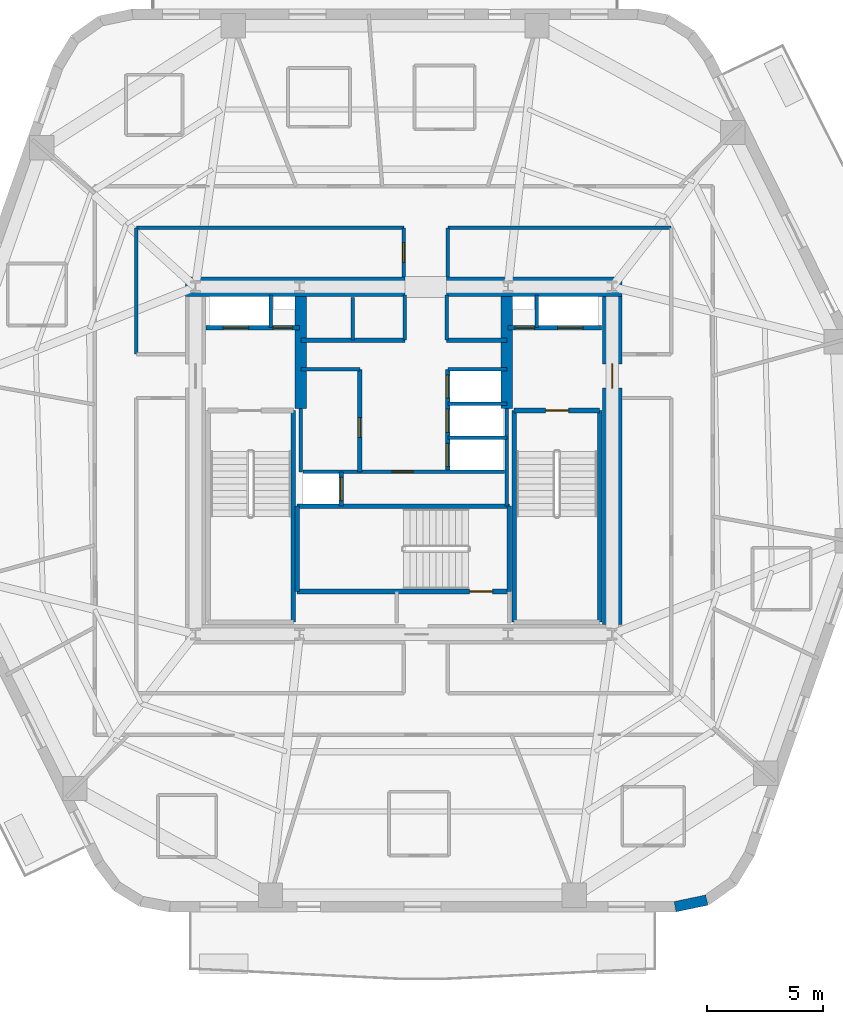
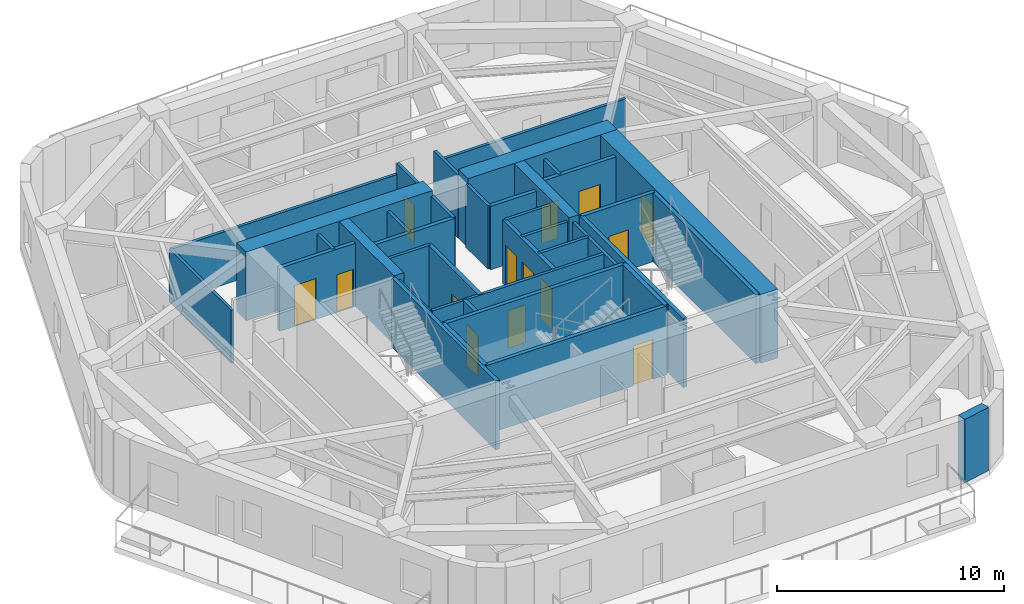
# One storey, part 4 of 10: 38 walls, 14 doors, 14 openings.
"""IFC4 building model written with IfcOpenShell, lengths in metres."""

from ifc_helpers import new_model, si_unit, direction, frame, frame_2d, origin, place, context, subcontext, project, spatial, rectangle, extrude, material, layer, layer_set, type_object, element, fill, save


model = new_model("IFC4")

# Units and contexts
model_context = context("Model", 3, precision=1e-05, world=origin(), true_north=direction((0.0, 1.0)))
body_context = subcontext(model_context, "Body", "Model", "MODEL_VIEW")
ifc_project = project(units=[si_unit("LENGTHUNIT", "METRE"), si_unit("AREAUNIT", "SQUARE_METRE"), si_unit("VOLUMEUNIT", "CUBIC_METRE"), si_unit("PLANEANGLEUNIT", "RADIAN"), si_unit("MASSUNIT", "GRAM", prefix="KILO")], contexts=[model_context])

# Site, building, storey
site_placement = place(None, origin())
site = spatial("IfcSite", under=ifc_project, at=site_placement, CompositionType="ELEMENT")
building_placement = place(site_placement, origin())
building = spatial("IfcBuilding", under=site, at=building_placement, Name="Kilnhurst Terrace Hotel", CompositionType="ELEMENT")
storey_placement = place(building_placement, frame((0.0, 0.0, 151.699951171875)))
storey = spatial("IfcBuildingStorey", under=building, at=storey_placement, Name="L37", CompositionType="ELEMENT", Elevation=151.699951171875)

# Walls
ifc_material_1 = material(Name="Precast concrete C40/50", Category="concrete")
ifc_layer_1 = layer(ifc_material_1, 0.449951171875, Name="Precast concrete C40/50")
ifc_layer_set_1 = layer_set([ifc_layer_1], Name="Precast concrete C40/50")
wall_type_1 = type_object("IfcWallType", Name="WL-BRK-450", PredefinedType="SOLIDWALL", material=ifc_layer_set_1)
wall_1_placement = place(storey_placement, frame((11.720458984375, -19.27490234375, 0.0), z_axis=(0.0, 0.0, 1.0), x_axis=(0.97893106758, 0.204191001093, 0.0)))
element("IfcWall", 1, at=wall_1_placement, inside=storey, type_object=wall_type_1, Name="L37 Rounded Corner Brick Wall C2.1", PredefinedType="SOLIDWALL", context=body_context, shape_type="SweptSolid", body=[
    extrude(rectangle(XDim=1.400146484375, YDim=0.449951171875, at=frame_2d((0.7001953125, 0.0))), origin(), (0.0, 0.0, 1.0), 3.400146484375),
])
ifc_material_2 = material(Name="Acoustic Double-Gypsum Corridor Partition Assembly")
ifc_layer_2 = layer(ifc_material_2, 0.14990234375, Name="Acoustic Double-Gypsum Corridor Partition Assembly")
ifc_layer_set_2 = layer_set([ifc_layer_2], Name="Acoustic Double-Gypsum Corridor Partition Assembly")
wall_type_2 = type_object("IfcWallType", Name="WL-COR-150", PredefinedType="PARTITIONING", material=ifc_layer_set_2)
wall_2_placement = place(storey_placement, frame((11.550048828125, 10.050048828125, 0.0), z_axis=(0.0, 0.0, 1.0), x_axis=(-1.0, 0.0, 0.0)))
element("IfcWall", 2, at=wall_2_placement, inside=storey, type_object=wall_type_2, Name="L37 Interior Wall WL-L37-COR-09", PredefinedType="PARTITIONING", context=body_context, shape_type="SweptSolid", body=[
    extrude(rectangle(XDim=9.650146484375, YDim=0.14990234375, at=frame_2d((4.8251953125, 0.0))), origin(), (0.0, 0.0, 1.0), 2.840087890625),
])
wall_3_placement = place(storey_placement, frame((1.89990234375, 10.050048828125, 0.0), z_axis=(0.0, 0.0, 1.0), x_axis=(0.0, -1.0, 0.0)))
element("IfcWall", 3, at=wall_3_placement, inside=storey, type_object=wall_type_2, Name="L37 Interior Wall WL-L37-COR-10", PredefinedType="PARTITIONING", context=body_context, shape_type="SweptSolid", body=[
    extrude(rectangle(XDim=2.125, YDim=0.14990234375, at=frame_2d((1.0625, 0.0))), origin(), (0.0, 0.0, 1.0), 3.400146484375),
])

# Wall, opening, door
wall_4_placement = place(storey_placement, frame((0.0, 7.925048828125, 0.0), z_axis=(0.0, 0.0, 1.0), x_axis=(0.0, 1.0, 0.0)))
wall_4 = element("IfcWall", 4, at=wall_4_placement, inside=storey, type_object=wall_type_2, Name="L37 Interior Wall WL-L37-COR-11", PredefinedType="PARTITIONING", context=body_context, shape_type="SweptSolid", body=[
    extrude(rectangle(XDim=2.125, YDim=0.14990234375, at=frame_2d((1.0625, 0.0))), origin(), (0.0, 0.0, 1.0), 3.400146484375),
])
opening_1_placement = place(wall_4_placement, frame((0.637939453125, 0.0, 0.0)))
opening_1 = element("IfcOpeningElement", 5, at=opening_1_placement, cuts=wall_4, Name="Opening D-60D", PredefinedType="OPENING", context=body_context, shape_type="SweptSolid", body=[
    extrude(rectangle(XDim=0.85009765625, YDim=2.030029296875, at=frame_2d((0.425048828125, 1.01513671875))), frame((0.0, 0.0849609375, 0.0), z_axis=(0.0, -1.0, 0.0), x_axis=(1.0, 0.0, 0.0)), (0.0, 0.0, 1.0), 0.169921875),
])
ifc_material_3 = material(Name="Painted Hollow Metal Steel ASTM A36 Riser Door", Category="steel")
door_type_1 = type_object("IfcDoorType", Name="DR-FD60-850", OperationType="NOTDEFINED", PredefinedType="DOOR", material=ifc_material_3)
door_1_placement = place(opening_1_placement, origin())
door_1 = element("IfcDoor", 6, at=door_1_placement, inside=storey, type_object=door_type_1, Name="L37 Floor Valet Equipment Store Door", OperationType="SINGLE_SWING_RIGHT", OverallHeight=2.030029296875, OverallWidth=0.85009765625, PredefinedType="DOOR", context=body_context, shape_type="SweptSolid", body=[
    extrude(rectangle(XDim=0.85009765625, YDim=2.030029296875, at=frame_2d((0.425048828125, 1.01513671875))), frame((0.0, 0.02490234375, 0.0), z_axis=(0.0, -1.0, 0.0), x_axis=(1.0, 0.0, 0.0)), (0.0, 0.0, 1.0), 0.050048828125),
])
fill(opening_1, door_1)

# Walls
wall_5_placement = place(storey_placement, frame((0.0, 10.050048828125, 0.0), z_axis=(0.0, 0.0, 1.0), x_axis=(-1.0, 0.0, 0.0)))
element("IfcWall", 7, at=wall_5_placement, inside=storey, type_object=wall_type_2, Name="L37 Interior Wall WL-L37-COR-12", PredefinedType="PARTITIONING", context=body_context, shape_type="SweptSolid", body=[
    extrude(rectangle(XDim=11.550048828125, YDim=0.14990234375, at=frame_2d((5.77490234375, 0.0))), origin(), (0.0, 0.0, 1.0), 2.840087890625),
])
wall_6_placement = place(storey_placement, frame((-11.550048828125, 10.050048828125, 0.0), z_axis=(0.0, 0.0, 1.0), x_axis=(0.0, -1.0, 0.0)))
element("IfcWall", 8, at=wall_6_placement, inside=storey, type_object=wall_type_2, Name="L37 Interior Wall WL-L37-COR-13", PredefinedType="PARTITIONING", context=body_context, shape_type="SweptSolid", body=[
    extrude(rectangle(XDim=5.449951171875, YDim=0.14990234375, at=frame_2d((2.72509765625, 0.0))), origin(), (0.0, 0.0, 1.0), 2.840087890625),
])
ifc_material_4 = material(Name="Concrete C80/95", Category="concrete")
ifc_layer_3 = layer(ifc_material_4, 0.85009765625, Name="Concrete C80/95")
ifc_layer_set_3 = layer_set([ifc_layer_3], Name="Concrete C80/95")
wall_type_3 = type_object("IfcWallType", Name="WL-CORE-850", PredefinedType="SHEAR", material=ifc_layer_set_3)
wall_7_placement = place(storey_placement, frame((-9.425048828125, 7.5, 0.0), z_axis=(0.0, 0.0, 1.0), x_axis=(1.0, 0.0, 0.0)))
element("IfcWall", 9, at=wall_7_placement, inside=storey, type_object=wall_type_3, Name="L37 Core North West Shear Wall", PredefinedType="SHEAR", context=body_context, shape_type="SweptSolid", body=[
    extrude(rectangle(XDim=9.47509765625, YDim=0.85009765625, at=frame_2d((4.737548828125, 0.0))), origin(), (0.0, 0.0, 1.0), 3.699951171875),
])
wall_8_placement = place(storey_placement, frame((1.85009765625, 7.5, 0.0), z_axis=(0.0, 0.0, 1.0), x_axis=(1.0, 0.0, 0.0)))
element("IfcWall", 10, at=wall_8_placement, inside=storey, type_object=wall_type_3, Name="L37 Core North East Shear Wall", PredefinedType="SHEAR", context=body_context, shape_type="SweptSolid", body=[
    extrude(rectangle(XDim=7.574951171875, YDim=0.85009765625, at=frame_2d((3.78759765625, 0.0))), origin(), (0.0, 0.0, 1.0), 3.699951171875),
])

# Wall, opening, door
wall_9_placement = place(storey_placement, frame((9.0, -7.074951171875, 0.0), z_axis=(0.0, 0.0, 1.0), x_axis=(0.0, 1.0, 0.0)))
wall_9 = element("IfcWall", 11, at=wall_9_placement, inside=storey, type_object=wall_type_3, Name="L37 Core East Shear Wall", PredefinedType="SHEAR", context=body_context, shape_type="SweptSolid", body=[
    extrude(rectangle(XDim=14.14990234375, YDim=0.85009765625, at=frame_2d((7.074951171875, 0.0))), origin(), (0.0, 0.0, 1.0), 3.699951171875),
])
opening_2_placement = place(wall_9_placement, frame((10.199951171875, 0.0, 0.0)))
opening_2 = element("IfcOpeningElement", 12, at=opening_2_placement, cuts=wall_9, Name="Opening D-90A", PredefinedType="OPENING", context=body_context, shape_type="SweptSolid", body=[
    extrude(rectangle(XDim=1.050048828125, YDim=2.14990234375, at=frame_2d((0.52490234375, 1.074951171875))), frame((0.0, 0.43505859375, 0.0), z_axis=(0.0, -1.0, 0.0), x_axis=(1.0, 0.0, 0.0)), (0.0, 0.0, 1.0), 0.8701171875),
])
ifc_material_5 = material(Name="Painted Hollow Metal Steel ASTM A36 Fire Door", Category="steel")
door_type_2 = type_object("IfcDoorType", Name="DR-FD90-1050", OperationType="NOTDEFINED", PredefinedType="DOOR", material=ifc_material_5)
door_2_placement = place(opening_2_placement, origin())
door_2 = element("IfcDoor", 13, at=door_2_placement, inside=storey, type_object=door_type_2, Name="L37 East Firefighting Lobby Door", OperationType="SINGLE_SWING_LEFT", OverallHeight=2.14990234375, OverallWidth=1.050048828125, PredefinedType="DOOR", context=body_context, shape_type="SweptSolid", body=[
    extrude(rectangle(XDim=1.050048828125, YDim=2.14990234375, at=frame_2d((0.52490234375, 1.074951171875))), frame((0.0, 0.02490234375, 0.0), z_axis=(0.0, -1.0, 0.0), x_axis=(1.0, 0.0, 0.0)), (0.0, 0.0, 1.0), 0.050048828125),
])
fill(opening_2, door_2)

# Walls
ifc_material_6 = material(Name="Concrete C60/75", Category="concrete")
ifc_layer_4 = layer(ifc_material_6, 0.5, Name="Concrete C60/75")
ifc_layer_set_4 = layer_set([ifc_layer_4], Name="Concrete C60/75")
wall_type_4 = type_object("IfcWallType", Name="WL-CORE-WEB-500", PredefinedType="SHEAR", material=ifc_layer_set_4)
for number, where, z_axis, x_axis, name in (
    (14, (-4.449951171875, 2.25, 0.0), (0.0, 0.0, 1.0), (0.0, 1.0, 0.0), "L37 Core Internal West Shear Web"),
    (15, (4.449951171875, 2.25, 0.0), (0.0, 0.0, 1.0), (0.0, 1.0, 0.0), "L37 Core Internal East Shear Web"),
):
    element("IfcWall", number, at=place(storey_placement, frame(where, z_axis=z_axis, x_axis=x_axis)), inside=storey, type_object=wall_type_4, Name=name, PredefinedType="SHEAR", context=body_context, shape_type="SweptSolid", body=[
        extrude(rectangle(XDim=4.824951171875, YDim=0.5, at=frame_2d((2.41259765625, 0.0))), origin(), (0.0, 0.0, 1.0), 3.699951171875),
    ])
ifc_material_7 = material(Name="Fire-Rated Gypsum Shaftliner Assembly")
ifc_layer_5 = layer(ifc_material_7, 0.14990234375, Name="Fire-Rated Gypsum Shaftliner Assembly")
ifc_layer_set_5 = layer_set([ifc_layer_5], Name="Fire-Rated Gypsum Shaftliner Assembly")
wall_type_5 = type_object("IfcWallType", Name="WL-SHAFT-150", PredefinedType="PARTITIONING", material=ifc_layer_set_5)
for number, where, z_axis, x_axis, name in (
    (16, (-5.75, 5.739990234375, 0.0), (0.0, 0.0, 1.0), (0.0, 1.0, 0.0), "L37 Interior Wall WL-L37-RIS1-DIV"),
    (17, (5.75, 5.739990234375, 0.0), (0.0, 0.0, 1.0), (0.0, 1.0, 0.0), "L37 Interior Wall WL-L37-RIS2-DIV"),
):
    element("IfcWall", number, at=place(storey_placement, frame(where, z_axis=z_axis, x_axis=x_axis)), inside=storey, type_object=wall_type_5, Name=name, PredefinedType="PARTITIONING", context=body_context, shape_type="SweptSolid", body=[
        extrude(rectangle(XDim=1.409912109375, YDim=0.14990234375, at=frame_2d((0.705078125, 0.0))), origin(), (0.0, 0.0, 1.0), 3.400146484375),
    ])
wall_10_placement = place(storey_placement, frame((-2.199951171875, 5.199951171875, 0.0), z_axis=(0.0, 0.0, 1.0), x_axis=(0.0, 1.0, 0.0)))
element("IfcWall", 18, at=wall_10_placement, inside=storey, type_object=wall_type_5, Name="L37 Interior Wall WL-L37-HR-DIV1", PredefinedType="PARTITIONING", context=body_context, shape_type="SweptSolid", body=[
    extrude(rectangle(XDim=1.85009765625, YDim=0.14990234375, at=frame_2d((0.925048828125, 0.0))), origin(), (0.0, 0.0, 1.0), 3.400146484375),
])
for number, where, z_axis, x_axis, name in (
    (19, (0.050048828125, 5.199951171875, 0.0), (0.0, 0.0, 1.0), (0.0, 1.0, 0.0), "L37 Interior Wall WL-L37-HR-PORTAL-W"),
    (20, (1.85009765625, 5.199951171875, 0.0), (0.0, 0.0, 1.0), (0.0, 1.0, 0.0), "L37 Interior Wall WL-L37-HR-PORTAL-E"),
):
    element("IfcWall", number, at=place(storey_placement, frame(where, z_axis=z_axis, x_axis=x_axis)), inside=storey, type_object=wall_type_5, Name=name, PredefinedType="PARTITIONING", context=body_context, shape_type="SweptSolid", body=[
        extrude(rectangle(XDim=1.949951171875, YDim=0.14990234375, at=frame_2d((0.97509765625, 0.0))), origin(), (0.0, 0.0, 1.0), 3.400146484375),
    ])
wall_11_placement = place(storey_placement, frame((-4.449951171875, -0.5, 0.0), z_axis=(0.0, 0.0, 1.0), x_axis=(0.0, 1.0, 0.0)))
element("IfcWall", 21, at=wall_11_placement, inside=storey, type_object=wall_type_5, Name="L37 Interior Wall WL-L37-XLOB-W", PredefinedType="PARTITIONING", context=body_context, shape_type="SweptSolid", body=[
    extrude(rectangle(XDim=2.75, YDim=0.14990234375, at=frame_2d((1.375, 0.0))), origin(), (0.0, 0.0, 1.0), 3.400146484375),
])
wall_12_placement = place(storey_placement, frame((4.449951171875, -1.971923828125, 0.0), z_axis=(0.0, 0.0, 1.0), x_axis=(0.0, 1.0, 0.0)))
element("IfcWall", 22, at=wall_12_placement, inside=storey, type_object=wall_type_5, Name="L37 Interior Wall WL-L37-XLOB-E", PredefinedType="PARTITIONING", context=body_context, shape_type="SweptSolid", body=[
    extrude(rectangle(XDim=4.221923828125, YDim=0.14990234375, at=frame_2d((2.11083984375, 0.0))), origin(), (0.0, 0.0, 1.0), 3.400146484375),
])
for number, where, z_axis, x_axis, name in (
    (23, (-4.449951171875, 3.93994140625, 0.0), (0.0, 0.0, 1.0), (1.0, 0.0, 0.0), "L37 Interior Wall WL-L37-LR-NORTH"),
    (24, (1.89990234375, 3.93994140625, 0.0), (0.0, 0.0, 1.0), (1.0, 0.0, 0.0), "L37 Interior Wall WL-L37-MR-NORTH"),
    (25, (1.89990234375, 0.97998046875, 0.0), (0.0, 0.0, 1.0), (1.0, 0.0, 0.0), "L37 Interior Wall WL-L37-MR-D1"),
    (26, (1.89990234375, 2.4599609375, 0.0), (0.0, 0.0, 1.0), (1.0, 0.0, 0.0), "L37 Interior Wall WL-L37-MR-D2"),
):
    element("IfcWall", number, at=place(storey_placement, frame(where, z_axis=z_axis, x_axis=x_axis)), inside=storey, type_object=wall_type_5, Name=name, PredefinedType="PARTITIONING", context=body_context, shape_type="SweptSolid", body=[
        extrude(rectangle(XDim=2.550048828125, YDim=0.14990234375, at=frame_2d((1.27490234375, 0.0))), origin(), (0.0, 0.0, 1.0), 3.400146484375),
    ])

# Wall, opening, door
wall_13_placement = place(storey_placement, frame((-4.360107421875, -0.489990234375, 0.0), z_axis=(0.0, 0.0, 1.0), x_axis=(1.0, 0.0, 0.0)))
wall_13 = element("IfcWall", 27, at=wall_13_placement, inside=storey, type_object=wall_type_5, Name="L37 Interior Wall WL-L37-BOH-N", PredefinedType="PARTITIONING", context=body_context, shape_type="SweptSolid", body=[
    extrude(rectangle(XDim=8.72021484375, YDim=0.14990234375, at=frame_2d((4.360107421875, 0.0))), origin(), (0.0, 0.0, 1.0), 3.400146484375),
])
opening_3_placement = place(wall_13_placement, frame((3.860107421875, 0.0, 0.0)))
opening_3 = element("IfcOpeningElement", 28, at=opening_3_placement, cuts=wall_13, Name="Opening D-60C", PredefinedType="OPENING", context=body_context, shape_type="SweptSolid", body=[
    extrude(rectangle(XDim=0.89990234375, YDim=2.030029296875, at=frame_2d((0.449951171875, 1.01513671875))), frame((0.0, 0.0849609375, 0.0), z_axis=(0.0, -1.0, 0.0), x_axis=(1.0, 0.0, 0.0)), (0.0, 0.0, 1.0), 0.169921875),
])
ifc_material_8 = material(Name="Painted Solid-Core Service Fire Door")
door_type_3 = type_object("IfcDoorType", Name="DR-FD60-900", OperationType="NOTDEFINED", PredefinedType="DOOR", material=ifc_material_8)
door_3_placement = place(opening_3_placement, origin())
door_3 = element("IfcDoor", 29, at=door_3_placement, inside=storey, type_object=door_type_3, Name="L37 Housekeeping Laundry Door", OperationType="SINGLE_SWING_LEFT", OverallHeight=2.030029296875, OverallWidth=0.89990234375, PredefinedType="DOOR", context=body_context, shape_type="SweptSolid", body=[
    extrude(rectangle(XDim=0.89990234375, YDim=2.030029296875, at=frame_2d((0.449951171875, 1.01513671875))), frame((0.0, 0.02490234375, 0.0), z_axis=(0.0, -1.0, 0.0), x_axis=(1.0, 0.0, 0.0)), (0.0, 0.0, 1.0), 0.050048828125),
])
fill(opening_3, door_3)

# Wall, openings, doors
ifc_material_9 = material(Name="Autoclaved Aerated Concrete C30/37 and Gypsum Shaft Assembly", Category="concrete")
ifc_layer_6 = layer(ifc_material_9, 0.199951171875, Name="Autoclaved Aerated Concrete C30/37 and Gypsum Shaft Assembly")
ifc_layer_set_6 = layer_set([ifc_layer_6], Name="Autoclaved Aerated Concrete C30/37 and Gypsum Shaft Assembly")
wall_type_6 = type_object("IfcWallType", Name="WL-SHAFT-200", PredefinedType="PARTITIONING", material=ifc_layer_set_6)
wall_14_placement = place(storey_placement, frame((-8.550048828125, 5.739990234375, 0.0), z_axis=(0.0, 0.0, 1.0), x_axis=(1.0, 0.0, 0.0)))
wall_14 = element("IfcWall", 30, at=wall_14_placement, inside=storey, type_object=wall_type_6, Name="L37 Interior Wall WL-L37-FSAE1-S", PredefinedType="PARTITIONING", context=body_context, shape_type="SweptSolid", body=[
    extrude(rectangle(XDim=4.050048828125, YDim=0.199951171875, at=frame_2d((2.02490234375, 0.0))), origin(), (0.0, 0.0, 1.0), 3.400146484375),
])
opening_4_placement = place(wall_14_placement, frame((0.75, 0.0, 0.0)))
opening_4 = element("IfcOpeningElement", 31, at=opening_4_placement, cuts=wall_14, Name="Opening LD-F1", PredefinedType="OPENING", context=body_context, shape_type="SweptSolid", body=[
    extrude(rectangle(XDim=1.10009765625, YDim=2.199951171875, at=frame_2d((0.550048828125, 1.10009765625))), frame((0.0, 0.10986328125, 0.0), z_axis=(0.0, -1.0, 0.0), x_axis=(1.0, 0.0, 0.0)), (0.0, 0.0, 1.0), 0.219970703125),
])
opening_5_placement = place(wall_14_placement, frame((2.89990234375, 0.0, 0.0)))
opening_5 = element("IfcOpeningElement", 32, at=opening_5_placement, cuts=wall_14, Name="Opening D-60D", PredefinedType="OPENING", context=body_context, shape_type="SweptSolid", body=[
    extrude(rectangle(XDim=0.85009765625, YDim=2.030029296875, at=frame_2d((0.425048828125, 1.01513671875))), frame((0.0, 0.10986328125, 0.0), z_axis=(0.0, -1.0, 0.0), x_axis=(1.0, 0.0, 0.0)), (0.0, 0.0, 1.0), 0.219970703125),
])
door_4_placement = place(opening_5_placement, origin())
door_4 = element("IfcDoor", 33, at=door_4_placement, inside=storey, type_object=door_type_1, Name="L37 Electrical Riser Door", OperationType="SINGLE_SWING_LEFT", OverallHeight=2.030029296875, OverallWidth=0.85009765625, PredefinedType="DOOR", context=body_context, shape_type="SweptSolid", body=[
    extrude(rectangle(XDim=0.85009765625, YDim=2.030029296875, at=frame_2d((0.425048828125, 1.01513671875))), frame((0.0, 0.02490234375, 0.0), z_axis=(0.0, -1.0, 0.0), x_axis=(1.0, 0.0, 0.0)), (0.0, 0.0, 1.0), 0.050048828125),
])
fill(opening_5, door_4)
ifc_material_10 = material(Name="Bronze-Anodized Stainless Steel AISI 316L Sliding Door", Category="steel")
door_type_4 = type_object("IfcDoorType", Name="DR-LIFT-1100", OperationType="NOTDEFINED", PredefinedType="DOOR", material=ifc_material_10)
door_5_placement = place(opening_4_placement, origin())
door_5 = element("IfcDoor", 34, at=door_5_placement, inside=storey, type_object=door_type_4, Name="L37 FSAE-1 Landing Door", OperationType="SLIDING_TO_LEFT", OverallHeight=2.199951171875, OverallWidth=1.10009765625, PredefinedType="DOOR", context=body_context, shape_type="SweptSolid", body=[
    extrude(rectangle(XDim=1.10009765625, YDim=2.199951171875, at=frame_2d((0.550048828125, 1.10009765625))), frame((0.0, 0.02490234375, 0.0), z_axis=(0.0, -1.0, 0.0), x_axis=(1.0, 0.0, 0.0)), (0.0, 0.0, 1.0), 0.050048828125),
])
fill(opening_4, door_5)

wall_15_placement = place(storey_placement, frame((4.5, 5.739990234375, 0.0), z_axis=(0.0, 0.0, 1.0), x_axis=(1.0, 0.0, 0.0)))
wall_15 = element("IfcWall", 35, at=wall_15_placement, inside=storey, type_object=wall_type_6, Name="L37 Interior Wall WL-L37-FSAE2-S", PredefinedType="PARTITIONING", context=body_context, shape_type="SweptSolid", body=[
    extrude(rectangle(XDim=4.050048828125, YDim=0.199951171875, at=frame_2d((2.02490234375, 0.0))), origin(), (0.0, 0.0, 1.0), 3.400146484375),
])
opening_6_placement = place(wall_15_placement, frame((0.300048828125, 0.0, 0.0)))
opening_6 = element("IfcOpeningElement", 36, at=opening_6_placement, cuts=wall_15, Name="Opening D-60D", PredefinedType="OPENING", context=body_context, shape_type="SweptSolid", body=[
    extrude(rectangle(XDim=0.85009765625, YDim=2.030029296875, at=frame_2d((0.425048828125, 1.01513671875))), frame((0.0, 0.10986328125, 0.0), z_axis=(0.0, -1.0, 0.0), x_axis=(1.0, 0.0, 0.0)), (0.0, 0.0, 1.0), 0.219970703125),
])
opening_7_placement = place(wall_15_placement, frame((2.14990234375, 0.0, 0.0)))
opening_7 = element("IfcOpeningElement", 37, at=opening_7_placement, cuts=wall_15, Name="Opening LD-F2", PredefinedType="OPENING", context=body_context, shape_type="SweptSolid", body=[
    extrude(rectangle(XDim=1.10009765625, YDim=2.199951171875, at=frame_2d((0.550048828125, 1.10009765625))), frame((0.0, 0.10986328125, 0.0), z_axis=(0.0, -1.0, 0.0), x_axis=(1.0, 0.0, 0.0)), (0.0, 0.0, 1.0), 0.219970703125),
])
door_6_placement = place(opening_6_placement, origin())
door_6 = element("IfcDoor", 38, at=door_6_placement, inside=storey, type_object=door_type_1, Name="L37 Telecom Riser Door", OperationType="SINGLE_SWING_RIGHT", OverallHeight=2.030029296875, OverallWidth=0.85009765625, PredefinedType="DOOR", context=body_context, shape_type="SweptSolid", body=[
    extrude(rectangle(XDim=0.85009765625, YDim=2.030029296875, at=frame_2d((0.425048828125, 1.01513671875))), frame((0.0, 0.02490234375, 0.0), z_axis=(0.0, -1.0, 0.0), x_axis=(1.0, 0.0, 0.0)), (0.0, 0.0, 1.0), 0.050048828125),
])
fill(opening_6, door_6)
door_7_placement = place(opening_7_placement, origin())
door_7 = element("IfcDoor", 39, at=door_7_placement, inside=storey, type_object=door_type_4, Name="L37 FSAE-2 Landing Door", OperationType="SLIDING_TO_RIGHT", OverallHeight=2.199951171875, OverallWidth=1.10009765625, PredefinedType="DOOR", context=body_context, shape_type="SweptSolid", body=[
    extrude(rectangle(XDim=1.10009765625, YDim=2.199951171875, at=frame_2d((0.550048828125, 1.10009765625))), frame((0.0, 0.02490234375, 0.0), z_axis=(0.0, -1.0, 0.0), x_axis=(1.0, 0.0, 0.0)), (0.0, 0.0, 1.0), 0.050048828125),
])
fill(opening_7, door_7)

# Wall, opening, door
wall_16_placement = place(storey_placement, frame((-2.699951171875, -1.971923828125, 0.0), z_axis=(0.0, 0.0, 1.0), x_axis=(0.0, 1.0, 0.0)))
wall_16 = element("IfcWall", 40, at=wall_16_placement, inside=storey, type_object=wall_type_6, Name="L37 Interior Wall WL-L37-SRV1-E", PredefinedType="PARTITIONING", context=body_context, shape_type="SweptSolid", body=[
    extrude(rectangle(XDim=1.471923828125, YDim=0.199951171875, at=frame_2d((0.73583984375, 0.0))), origin(), (0.0, 0.0, 1.0), 3.400146484375),
])
opening_8_placement = place(wall_16_placement, frame((0.239990234375, 0.0, 0.0)))
opening_8 = element("IfcOpeningElement", 41, at=opening_8_placement, cuts=wall_16, Name="Opening LD-SV", PredefinedType="OPENING", context=body_context, shape_type="SweptSolid", body=[
    extrude(rectangle(XDim=1.0, YDim=2.199951171875, at=frame_2d((0.5, 1.10009765625))), frame((0.0, 0.10986328125, 0.0), z_axis=(0.0, -1.0, 0.0), x_axis=(1.0, 0.0, 0.0)), (0.0, 0.0, 1.0), 0.219970703125),
])
door_type_5 = type_object("IfcDoorType", Name="DR-LIFT-1000", OperationType="NOTDEFINED", PredefinedType="DOOR", material=ifc_material_10)
door_8_placement = place(opening_8_placement, origin())
door_8 = element("IfcDoor", 42, at=door_8_placement, inside=storey, type_object=door_type_5, Name="L37 Service Lift SRV-1 Landing Door", OperationType="SLIDING_TO_LEFT", OverallHeight=2.199951171875, OverallWidth=1.0, PredefinedType="DOOR", context=body_context, shape_type="SweptSolid", body=[
    extrude(rectangle(XDim=1.0, YDim=2.199951171875, at=frame_2d((0.5, 1.10009765625))), frame((0.0, 0.02490234375, 0.0), z_axis=(0.0, -1.0, 0.0), x_axis=(1.0, 0.0, 0.0)), (0.0, 0.0, 1.0), 0.050048828125),
])
fill(opening_8, door_8)

# Walls
wall_17_placement = place(storey_placement, frame((-4.449951171875, 5.199951171875, 0.0), z_axis=(0.0, 0.0, 1.0), x_axis=(1.0, 0.0, 0.0)))
element("IfcWall", 43, at=wall_17_placement, inside=storey, type_object=wall_type_6, Name="L37 Interior Wall WL-L37-HR-SW", PredefinedType="PARTITIONING", context=body_context, shape_type="SweptSolid", body=[
    extrude(rectangle(XDim=4.5, YDim=0.199951171875, at=frame_2d((2.25, 0.0))), origin(), (0.0, 0.0, 1.0), 3.400146484375),
])
wall_18_placement = place(storey_placement, frame((1.85009765625, 5.199951171875, 0.0), z_axis=(0.0, 0.0, 1.0), x_axis=(1.0, 0.0, 0.0)))
element("IfcWall", 44, at=wall_18_placement, inside=storey, type_object=wall_type_6, Name="L37 Interior Wall WL-L37-HR-SE", PredefinedType="PARTITIONING", context=body_context, shape_type="SweptSolid", body=[
    extrude(rectangle(XDim=2.599853515625, YDim=0.199951171875, at=frame_2d((1.2998046875, 0.0))), origin(), (0.0, 0.0, 1.0), 3.400146484375),
])

# Wall, opening, door
wall_19_placement = place(storey_placement, frame((-1.89990234375, -0.5, 0.0), z_axis=(0.0, 0.0, 1.0), x_axis=(0.0, 1.0, 0.0)))
wall_19 = element("IfcWall", 45, at=wall_19_placement, inside=storey, type_object=wall_type_6, Name="L37 Interior Wall WL-L37-LR-FRONT", PredefinedType="PARTITIONING", context=body_context, shape_type="SweptSolid", body=[
    extrude(rectangle(XDim=4.43994140625, YDim=0.199951171875, at=frame_2d((2.219970703125, 0.0))), origin(), (0.0, 0.0, 1.0), 3.400146484375),
])
opening_9_placement = place(wall_19_placement, frame((1.5, 0.0, 0.0)))
opening_9 = element("IfcOpeningElement", 46, at=opening_9_placement, cuts=wall_19, Name="Opening D-60D", PredefinedType="OPENING", context=body_context, shape_type="SweptSolid", body=[
    extrude(rectangle(XDim=0.85009765625, YDim=2.030029296875, at=frame_2d((0.425048828125, 1.01513671875))), frame((0.0, 0.10986328125, 0.0), z_axis=(0.0, -1.0, 0.0), x_axis=(1.0, 0.0, 0.0)), (0.0, 0.0, 1.0), 0.219970703125),
])
door_9_placement = place(opening_9_placement, origin())
door_9 = element("IfcDoor", 47, at=door_9_placement, inside=storey, type_object=door_type_1, Name="L37 Reclaimed Linen Room Door", OperationType="SINGLE_SWING_LEFT", OverallHeight=2.030029296875, OverallWidth=0.85009765625, PredefinedType="DOOR", context=body_context, shape_type="SweptSolid", body=[
    extrude(rectangle(XDim=0.85009765625, YDim=2.030029296875, at=frame_2d((0.425048828125, 1.01513671875))), frame((0.0, 0.02490234375, 0.0), z_axis=(0.0, -1.0, 0.0), x_axis=(1.0, 0.0, 0.0)), (0.0, 0.0, 1.0), 0.050048828125),
])
fill(opening_9, door_9)

# Wall, openings, doors
wall_20_placement = place(storey_placement, frame((1.89990234375, -0.5, 0.0), z_axis=(0.0, 0.0, 1.0), x_axis=(0.0, 1.0, 0.0)))
wall_20 = element("IfcWall", 48, at=wall_20_placement, inside=storey, type_object=wall_type_6, Name="L37 Interior Wall WL-L37-MR-FRONT", PredefinedType="PARTITIONING", context=body_context, shape_type="SweptSolid", body=[
    extrude(rectangle(XDim=4.43994140625, YDim=0.199951171875, at=frame_2d((2.219970703125, 0.0))), origin(), (0.0, 0.0, 1.0), 3.400146484375),
])
opening_10_placement = place(wall_20_placement, frame((0.239990234375, 0.0, 0.0)))
opening_10 = element("IfcOpeningElement", 49, at=opening_10_placement, cuts=wall_20, Name="Opening LD-MR", PredefinedType="OPENING", context=body_context, shape_type="SweptSolid", body=[
    extrude(rectangle(XDim=1.0, YDim=2.199951171875, at=frame_2d((0.5, 1.10009765625))), frame((0.0, 0.10986328125, 0.0), z_axis=(0.0, -1.0, 0.0), x_axis=(1.0, 0.0, 0.0)), (0.0, 0.0, 1.0), 0.219970703125),
])
opening_11_placement = place(wall_20_placement, frame((1.719970703125, 0.0, 0.0)))
opening_11 = element("IfcOpeningElement", 50, at=opening_11_placement, cuts=wall_20, Name="Opening LD-MR", PredefinedType="OPENING", context=body_context, shape_type="SweptSolid", body=[
    extrude(rectangle(XDim=1.0, YDim=2.199951171875, at=frame_2d((0.5, 1.10009765625))), frame((0.0, 0.10986328125, 0.0), z_axis=(0.0, -1.0, 0.0), x_axis=(1.0, 0.0, 0.0)), (0.0, 0.0, 1.0), 0.219970703125),
])
opening_12_placement = place(wall_20_placement, frame((3.199951171875, 0.0, 0.0)))
opening_12 = element("IfcOpeningElement", 51, at=opening_12_placement, cuts=wall_20, Name="Opening LD-MR", PredefinedType="OPENING", context=body_context, shape_type="SweptSolid", body=[
    extrude(rectangle(XDim=1.0, YDim=2.199951171875, at=frame_2d((0.5, 1.10009765625))), frame((0.0, 0.10986328125, 0.0), z_axis=(0.0, -1.0, 0.0), x_axis=(1.0, 0.0, 0.0)), (0.0, 0.0, 1.0), 0.219970703125),
])
door_10_placement = place(opening_10_placement, origin())
door_10 = element("IfcDoor", 52, at=door_10_placement, inside=storey, type_object=door_type_5, Name="L37 Mid Rise Lift MR-1 Landing Door", OperationType="SLIDING_TO_RIGHT", OverallHeight=2.199951171875, OverallWidth=1.0, PredefinedType="DOOR", context=body_context, shape_type="SweptSolid", body=[
    extrude(rectangle(XDim=1.0, YDim=2.199951171875, at=frame_2d((0.5, 1.10009765625))), frame((0.0, 0.02490234375, 0.0), z_axis=(0.0, -1.0, 0.0), x_axis=(1.0, 0.0, 0.0)), (0.0, 0.0, 1.0), 0.050048828125),
])
fill(opening_10, door_10)
door_11_placement = place(opening_11_placement, origin())
door_11 = element("IfcDoor", 53, at=door_11_placement, inside=storey, type_object=door_type_5, Name="L37 Mid Rise Lift MR-2 Landing Door", OperationType="SLIDING_TO_RIGHT", OverallHeight=2.199951171875, OverallWidth=1.0, PredefinedType="DOOR", context=body_context, shape_type="SweptSolid", body=[
    extrude(rectangle(XDim=1.0, YDim=2.199951171875, at=frame_2d((0.5, 1.10009765625))), frame((0.0, 0.02490234375, 0.0), z_axis=(0.0, -1.0, 0.0), x_axis=(1.0, 0.0, 0.0)), (0.0, 0.0, 1.0), 0.050048828125),
])
fill(opening_11, door_11)
door_12_placement = place(opening_12_placement, origin())
door_12 = element("IfcDoor", 54, at=door_12_placement, inside=storey, type_object=door_type_5, Name="L37 Mid Rise Lift MR-3 Landing Door", OperationType="SLIDING_TO_RIGHT", OverallHeight=2.199951171875, OverallWidth=1.0, PredefinedType="DOOR", context=body_context, shape_type="SweptSolid", body=[
    extrude(rectangle(XDim=1.0, YDim=2.199951171875, at=frame_2d((0.5, 1.10009765625))), frame((0.0, 0.02490234375, 0.0), z_axis=(0.0, -1.0, 0.0), x_axis=(1.0, 0.0, 0.0)), (0.0, 0.0, 1.0), 0.050048828125),
])
fill(opening_12, door_12)

# Walls
ifc_material_11 = material(Name="Concrete C50/60", Category="concrete")
ifc_layer_7 = layer(ifc_material_11, 0.199951171875, Name="Concrete C50/60")
ifc_layer_set_7 = layer_set([ifc_layer_7], Name="Concrete C50/60")
wall_type_7 = type_object("IfcWallType", Name="WL-STAIR-RC-200", PredefinedType="SHEAR", material=ifc_layer_set_7)
for number, where, z_axis, x_axis, name in (
    (55, (-4.77197265625, -6.985107421875, 0.0), (0.0, 0.0, 1.0), (0.0, 1.0, 0.0), "L37 Structural Stair Shaft Wall WL-L37-ST1-E"),
    (56, (4.77197265625, -6.985107421875, 0.0), (0.0, 0.0, 1.0), (0.0, 1.0, 0.0), "L37 Structural Stair Shaft Wall WL-L37-ST2-W"),
    (57, (8.4580078125, -6.985107421875, 0.0), (0.0, 0.0, 1.0), (0.0, 1.0, 0.0), "L37 Structural Stair Shaft Wall WL-L37-ST2-E"),
):
    element("IfcWall", number, at=place(storey_placement, frame(where, z_axis=z_axis, x_axis=x_axis)), inside=storey, type_object=wall_type_7, Name=name, PredefinedType="SHEAR", context=body_context, shape_type="SweptSolid", body=[
        extrude(rectangle(XDim=9.14306640625, YDim=0.199951171875, at=frame_2d((4.571533203125, 0.0))), origin(), (0.0, 0.0, 1.0), 3.699951171875),
    ])

# Wall, opening, door
wall_21_placement = place(storey_placement, frame((4.77197265625, 2.157958984375, 0.0), z_axis=(0.0, 0.0, 1.0), x_axis=(1.0, 0.0, 0.0)))
wall_21 = element("IfcWall", 58, at=wall_21_placement, inside=storey, type_object=wall_type_7, Name="L37 Structural Stair Shaft Wall WL-L37-ST2-N", PredefinedType="SHEAR", context=body_context, shape_type="SweptSolid", body=[
    extrude(rectangle(XDim=3.68603515625, YDim=0.199951171875, at=frame_2d((1.843017578125, 0.0))), origin(), (0.0, 0.0, 1.0), 3.699951171875),
])
opening_13_placement = place(wall_21_placement, frame((1.35009765625, 0.0, 0.0)))
opening_13 = element("IfcOpeningElement", 59, at=opening_13_placement, cuts=wall_21, Name="Opening D-90B", PredefinedType="OPENING", context=body_context, shape_type="SweptSolid", body=[
    extrude(rectangle(XDim=1.0, YDim=2.14990234375, at=frame_2d((0.5, 1.074951171875))), frame((0.0, 0.10986328125, 0.0), z_axis=(0.0, -1.0, 0.0), x_axis=(1.0, 0.0, 0.0)), (0.0, 0.0, 1.0), 0.219970703125),
])
door_type_6 = type_object("IfcDoorType", Name="DR-FD90-1000", OperationType="NOTDEFINED", PredefinedType="DOOR", material=ifc_material_5)
door_13_placement = place(opening_13_placement, origin())
door_13 = element("IfcDoor", 60, at=door_13_placement, inside=storey, type_object=door_type_6, Name="L37 Stair ST-2 Door", OperationType="SINGLE_SWING_RIGHT", OverallHeight=2.14990234375, OverallWidth=1.0, PredefinedType="DOOR", context=body_context, shape_type="SweptSolid", body=[
    extrude(rectangle(XDim=1.0, YDim=2.14990234375, at=frame_2d((0.5, 1.074951171875))), frame((0.0, 0.02490234375, 0.0), z_axis=(0.0, -1.0, 0.0), x_axis=(1.0, 0.0, 0.0)), (0.0, 0.0, 1.0), 0.050048828125),
])
fill(opening_13, door_13)

# Wall
wall_22_placement = place(storey_placement, frame((-4.60791015625, -5.657958984375, 0.0), z_axis=(0.0, 0.0, 1.0), x_axis=(0.0, 1.0, 0.0)))
element("IfcWall", 61, at=wall_22_placement, inside=storey, type_object=wall_type_7, Name="L37 Structural Stair Shaft Wall WL-L37-ST3-W", PredefinedType="SHEAR", context=body_context, shape_type="SweptSolid", body=[
    extrude(rectangle(XDim=3.68603515625, YDim=0.199951171875, at=frame_2d((1.843017578125, 0.0))), origin(), (0.0, 0.0, 1.0), 3.699951171875),
])

# Wall, opening, door
wall_23_placement = place(storey_placement, frame((-4.60791015625, -5.657958984375, 0.0), z_axis=(0.0, 0.0, 1.0), x_axis=(1.0, 0.0, 0.0)))
wall_23 = element("IfcWall", 62, at=wall_23_placement, inside=storey, type_object=wall_type_7, Name="L37 Structural Stair Shaft Wall WL-L37-ST3-S", PredefinedType="SHEAR", context=body_context, shape_type="SweptSolid", body=[
    extrude(rectangle(XDim=9.166015625, YDim=0.199951171875, at=frame_2d((4.5830078125, 0.0))), origin(), (0.0, 0.0, 1.0), 3.699951171875),
])
opening_14_placement = place(wall_23_placement, frame((7.449951171875, 0.0, 0.0)))
opening_14 = element("IfcOpeningElement", 63, at=opening_14_placement, cuts=wall_23, Name="Opening D-90B", PredefinedType="OPENING", context=body_context, shape_type="SweptSolid", body=[
    extrude(rectangle(XDim=1.0, YDim=2.14990234375, at=frame_2d((0.5, 1.074951171875))), frame((0.0, 0.10986328125, 0.0), z_axis=(0.0, -1.0, 0.0), x_axis=(1.0, 0.0, 0.0)), (0.0, 0.0, 1.0), 0.219970703125),
])
door_14_placement = place(opening_14_placement, origin())
door_14 = element("IfcDoor", 64, at=door_14_placement, inside=storey, type_object=door_type_6, Name="L37 Stair ST-3 Shaft Door", OperationType="SINGLE_SWING_LEFT", OverallHeight=2.14990234375, OverallWidth=1.0, PredefinedType="DOOR", context=body_context, shape_type="SweptSolid", body=[
    extrude(rectangle(XDim=1.0, YDim=2.14990234375, at=frame_2d((0.5, 1.074951171875))), frame((0.0, 0.02490234375, 0.0), z_axis=(0.0, -1.0, 0.0), x_axis=(1.0, 0.0, 0.0)), (0.0, 0.0, 1.0), 0.050048828125),
])
fill(opening_14, door_14)

# Walls
wall_24_placement = place(storey_placement, frame((-4.60791015625, -1.971923828125, 0.0), z_axis=(0.0, 0.0, 1.0), x_axis=(1.0, 0.0, 0.0)))
element("IfcWall", 65, at=wall_24_placement, inside=storey, type_object=wall_type_7, Name="L37 Structural Stair Shaft Wall WL-L37-ST3-N", PredefinedType="SHEAR", context=body_context, shape_type="SweptSolid", body=[
    extrude(rectangle(XDim=9.166015625, YDim=0.199951171875, at=frame_2d((4.5830078125, 0.0))), origin(), (0.0, 0.0, 1.0), 3.699951171875),
])
wall_25_placement = place(storey_placement, frame((4.55810546875, -5.657958984375, 0.0), z_axis=(0.0, 0.0, 1.0), x_axis=(0.0, 1.0, 0.0)))
element("IfcWall", 66, at=wall_25_placement, inside=storey, type_object=wall_type_7, Name="L37 Structural Stair Shaft Wall WL-L37-ST3-E", PredefinedType="SHEAR", context=body_context, shape_type="SweptSolid", body=[
    extrude(rectangle(XDim=3.68603515625, YDim=0.199951171875, at=frame_2d((1.843017578125, 0.0))), origin(), (0.0, 0.0, 1.0), 3.699951171875),
])

save(model, "model.ifc")
